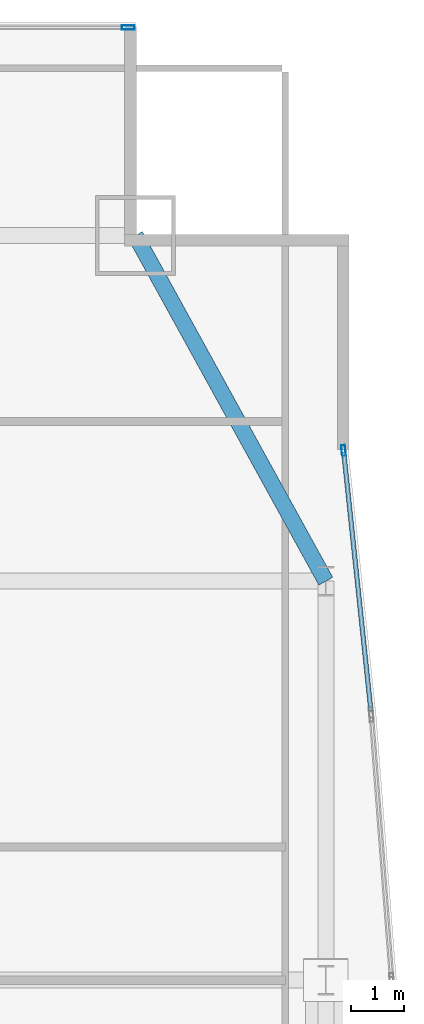
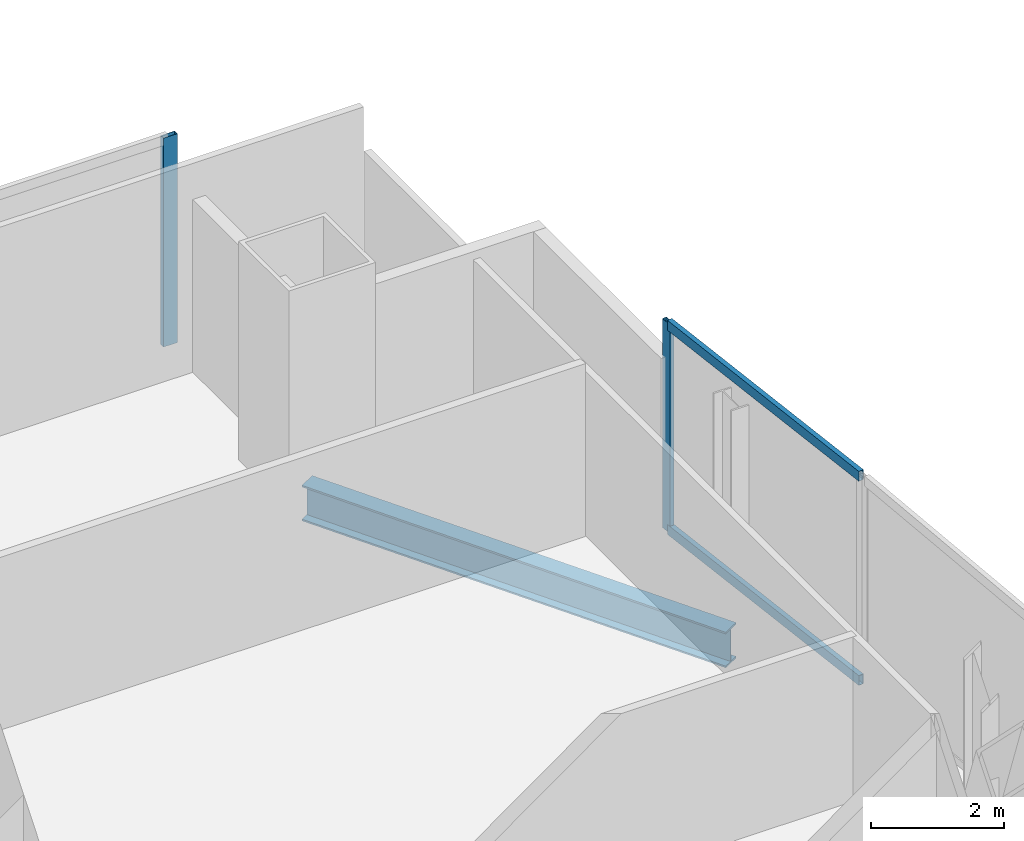
# One storey, part 25 of 32: 4 members, 1 beam, 2 elements without a shape of their own.
"""IFC4 building model written with IfcOpenShell, lengths in metres."""

import ifcopenshell
import ifcopenshell.guid

model = None  # the IFC model being written
_history = None  # IfcOwnerHistory: only IFC2X3 demands one
_inside = {}  # id of a spatial element -> (the spatial element, [elements in it])
_under = {}  # id of a project, library or spatial element -> (it, [spatial elements below it])
_declared = {}  # id of a project -> (the project, [libraries it declares])
_typed = {}  # id of a type object -> (the type object, [elements of that type])
_made_of = {}  # id of a material, layer set ... -> (it, [elements and type objects made of it])


def new_model(schema):
    """Start an empty IFC model of exactly this schema.

    Asked for "IFC4X3", IfcOpenShell would pick the latest addendum, in which some entities
    have other attributes; the version numbers below select the first issue.
    IFC2X3 requires an IfcOwnerHistory on every rooted entity: one is made here for all.
    """
    global model, _history
    if schema == "IFC4X3":
        model = ifcopenshell.file(schema_version=(4, 3, 0, 0))
    else:
        model = ifcopenshell.file(schema=schema)
    _inside.clear()
    _under.clear()
    _declared.clear()
    _typed.clear()
    _made_of.clear()
    _history = None
    if model.schema == "IFC2X3":
        org = make("IfcOrganization", Name="unknown")
        user = make(
            "IfcPersonAndOrganization",
            ThePerson=make("IfcPerson", FamilyName="unknown"),
            TheOrganization=org,
        )
        app = make(
            "IfcApplication",
            ApplicationDeveloper=org,
            Version="unknown",
            ApplicationFullName="unknown",
            ApplicationIdentifier="unknown",
        )
        _history = make(
            "IfcOwnerHistory",
            OwningUser=user,
            OwningApplication=app,
            ChangeAction="ADDED",
            CreationDate=0,
        )
    return model


def make(cls, **values):
    """One entity of the class cls with the attributes given. An attribute that is None is left unset."""
    return model.create_entity(
        cls, **{name: value for name, value in values.items() if value is not None}
    )


def rooted(cls, **values):
    """An entity with a GlobalId (a new one), such as an element, a storey or a relation."""
    return make(cls, GlobalId=ifcopenshell.guid.new(), OwnerHistory=_history, **values)


def si_unit(unit_type, name, prefix=None):
    """IfcSIUnit, for example si_unit("LENGTHUNIT", "METRE", prefix="MILLI")."""
    return make("IfcSIUnit", UnitType=unit_type, Prefix=prefix, Name=name)


def assignment(units):
    """IfcUnitAssignment: the units of a project."""
    return None if units is None else make("IfcUnitAssignment", Units=units)


def point(xyz):
    """IfcCartesianPoint."""
    return None if xyz is None else make("IfcCartesianPoint", Coordinates=xyz)


def direction(xyz):
    """IfcDirection."""
    return None if xyz is None else make("IfcDirection", DirectionRatios=xyz)


def frame(location, z_axis=None, x_axis=None):
    """IfcAxis2Placement3D, a coordinate frame: its origin and axes. An axis left out is left unset."""
    return make(
        "IfcAxis2Placement3D",
        Location=point(location),
        Axis=direction(z_axis),
        RefDirection=direction(x_axis),
    )


def frame_2d(location, x_axis=None):
    """IfcAxis2Placement2D, a coordinate frame in the plane: its origin and x axis."""
    return make(
        "IfcAxis2Placement2D", Location=point(location), RefDirection=direction(x_axis)
    )


def origin():
    """The frame at (0, 0, 0) with its axes left unset."""
    return frame((0.0, 0.0, 0.0))


def origin_2d():
    """The frame at (0, 0) in the plane with its x axis left unset."""
    return frame_2d((0.0, 0.0))


def place(relative_to, where):
    """IfcLocalPlacement: puts the frame where relative to a parent placement (None: the world)."""
    return make(
        "IfcLocalPlacement", PlacementRelTo=relative_to, RelativePlacement=where
    )


def context(
    kind, dimensions, precision=None, world=None, true_north=None, identifier=None
):
    """IfcGeometricRepresentationContext, for example the 3D "Model" context."""
    return make(
        "IfcGeometricRepresentationContext",
        ContextIdentifier=identifier,
        ContextType=kind,
        CoordinateSpaceDimension=dimensions,
        Precision=precision,
        WorldCoordinateSystem=world,
        TrueNorth=true_north,
    )


def subcontext(parent, identifier, kind, view, scale=None):
    """IfcGeometricRepresentationSubContext, for example "Body" below "Model"."""
    return make(
        "IfcGeometricRepresentationSubContext",
        ContextIdentifier=identifier,
        ContextType=kind,
        ParentContext=parent,
        TargetScale=scale,
        TargetView=view,
    )


def project(units=None, contexts=None):
    """IfcProject with its units and contexts."""
    return rooted(
        "IfcProject",
        Name="project",
        RepresentationContexts=contexts,
        UnitsInContext=assignment(units),
    )


def spatial(cls, under=None, at=None, **own):
    """A site, building, storey or space (cls), placed at a placement, below another one or the project."""
    s = rooted(cls, ObjectPlacement=at, **own)
    if under is not None:
        _under.setdefault(under.id(), (under, []))[1].append(s)
    return s


def profile(cls, at=None, kind="AREA", **sizes):
    """A parametric profile (cls). Its sizes go by their IFC names, for example OverallWidth=200.0."""
    return make(cls, ProfileType=kind, Position=at, **sizes)


def hollow_rectangle(**sizes):
    """IfcRectangleHollowProfileDef."""
    return profile("IfcRectangleHollowProfileDef", **sizes)


def i_section(**sizes):
    """IfcIShapeProfileDef."""
    return profile("IfcIShapeProfileDef", **sizes)


def extrude(swept, where, along, depth):
    """IfcExtrudedAreaSolid: the profile swept, set in the frame where, extruded along a direction by depth."""
    return make(
        "IfcExtrudedAreaSolid",
        SweptArea=swept,
        Position=where,
        ExtrudedDirection=direction(along),
        Depth=depth,
    )


def shape(context_of_items, identifier, shape_type, items):
    """IfcShapeRepresentation: the items that make up one representation, for example the "Body"."""
    return make(
        "IfcShapeRepresentation",
        ContextOfItems=context_of_items,
        RepresentationIdentifier=identifier,
        RepresentationType=shape_type,
        Items=items,
    )


def material(Name=None, Category=None):
    """IfcMaterial."""
    return make("IfcMaterial", Name=Name, Category=Category)


def material_profile(
    of_material, cross_section, Name=None, Category=None, Priority=None
):
    """IfcMaterialProfile: a cross section and its material."""
    return make(
        "IfcMaterialProfile",
        Name=Name,
        Material=of_material,
        Profile=cross_section,
        Priority=Priority,
        Category=Category,
    )


def profile_set(profiles, Name=None, composite=None):
    """IfcMaterialProfileSet."""
    return make(
        "IfcMaterialProfileSet",
        Name=Name,
        MaterialProfiles=profiles,
        CompositeProfile=composite,
    )


def made_of(thing, what):
    """Note that an element or type object is made of a material, layer set ...; save() writes the relation."""
    if what is not None:
        _made_of.setdefault(what.id(), (what, []))[1].append(thing)
    return thing


def type_object(cls, material=None, **own):
    """A type object (cls), such as IfcWallType, which elements share."""
    return made_of(rooted(cls, **own), material)


def element(
    cls,
    number,
    at=None,
    inside=None,
    cuts=None,
    type_object=None,
    material=None,
    context=None,
    identifier="Body",
    shape_type=None,
    held_by="IfcProductDefinitionShape",
    body=None,
    shapes=None,
    **own,
):
    """One element of the class cls, such as IfcWall. Its Tag is "e" and its number.

    at: its placement. inside: the storey or other place that contains it. cuts: it is an
    opening in that element (IfcRelVoidsElement). A single representation is given by context,
    identifier, shape_type and body (its items); several are given by shapes. held_by: the class
    of the entity that holds the representations. save() writes the other relations.
    """
    e = rooted(cls, Tag="e%d" % number, ObjectPlacement=at, **own)
    if body is not None:
        shapes = [shape(context, identifier, shape_type, body)]
    if shapes is not None:
        e.Representation = make(held_by, Representations=shapes)
    if inside is not None:
        _inside.setdefault(inside.id(), (inside, []))[1].append(e)
    if cuts is not None:
        rooted(
            "IfcRelVoidsElement", RelatingBuildingElement=cuts, RelatedOpeningElement=e
        )
    if type_object is not None:
        _typed.setdefault(type_object.id(), (type_object, []))[1].append(e)
    return made_of(e, material)


def aggregate(whole, parts):
    """IfcRelAggregates: a whole, such as a stair, and the parts it consists of."""
    return rooted("IfcRelAggregates", RelatingObject=whole, RelatedObjects=parts)


def save(model, path):
    """Write the relations noted so far, then the file.

    IfcRelAggregates (storeys below a building ...), IfcRelContainedInSpatialStructure (elements
    in a storey), IfcRelDefinesByType, IfcRelAssociatesMaterial and IfcRelDeclares: one each for
    every whole, place, type object, material and project.
    """
    for whole, parts in _under.values():
        aggregate(whole, parts)
    for where, things in _inside.values():
        rooted(
            "IfcRelContainedInSpatialStructure",
            RelatedElements=things,
            RelatingStructure=where,
        )
    for kind, things in _typed.values():
        rooted("IfcRelDefinesByType", RelatedObjects=things, RelatingType=kind)
    for what, things in _made_of.values():
        rooted("IfcRelAssociatesMaterial", RelatedObjects=things, RelatingMaterial=what)
    for by, libraries in _declared.values():
        rooted("IfcRelDeclares", RelatingContext=by, RelatedDefinitions=libraries)
    model.write(path)


model = new_model("IFC4")

# Units and contexts
model_context = context("Model", 3, precision=1e-05, world=origin(), true_north=direction((0.0, 1.0)))
body_context = subcontext(model_context, "Body", "Model", "MODEL_VIEW")
ifc_project = project(units=[si_unit("LENGTHUNIT", "METRE"), si_unit("AREAUNIT", "SQUARE_METRE"), si_unit("VOLUMEUNIT", "CUBIC_METRE"), si_unit("PLANEANGLEUNIT", "RADIAN"), si_unit("MASSUNIT", "GRAM", prefix="KILO")], contexts=[model_context])

# Site, building, storey
site_placement = place(None, origin())
site = spatial("IfcSite", under=ifc_project, at=site_placement, CompositionType="ELEMENT")
building_placement = place(site_placement, origin())
building = spatial("IfcBuilding", under=site, at=building_placement, Name="Khoronbel Lancet Exchange", CompositionType="ELEMENT")
storey_placement = place(building_placement, frame((0.0, 0.0, 94.60009765625)))
storey = spatial("IfcBuildingStorey", under=building, at=storey_placement, Name="L22", CompositionType="ELEMENT", Elevation=94.60009765625)

# Beam
ifc_material_1 = material(Name="Steel S355", Category="steel")
ifc_material_profile_1 = material_profile(ifc_material_1, i_section(OverallWidth=0.300048828125, OverallDepth=0.64990234375, WebThickness=0.01611328125, FlangeThickness=0.031005859375, at=origin_2d()), Name="HEB 650")
ifc_profile_set_1 = profile_set([ifc_material_profile_1], Name="Steel S355")
beam_type = type_object("IfcBeamType", Name="BM-BSP1", PredefinedType="SPANDREL", material=ifc_profile_set_1)
beam_placement = place(storey_placement, frame((69.6298828125, 43.199951171875, -0.505126953125), z_axis=(-0.482418808117, 0.875940690672, 0.0), x_axis=(-0.875940690672, -0.482418808117, 0.0)))
element("IfcBeam", 1, at=beam_placement, inside=storey, type_object=beam_type, Name="Level L22 perimeter spandrel beam SP15", PredefinedType="SPANDREL", context=body_context, shape_type="SweptSolid", body=[
    extrude(i_section(OverallWidth=0.300048828125, OverallDepth=0.64990234375, WebThickness=0.01611328125, FlangeThickness=0.031005859375, at=origin_2d()), origin(), (0.0, 0.0, 1.0), 7.420654296875),
])

# Curtain wall, member
ifc_material_2 = material(Name="Low-E Solar Control Insulating Glass", Category="glass")
curtain_wall_type_1 = type_object("IfcCurtainWallType", Name="CW-2", PredefinedType="NOTDEFINED", material=ifc_material_2)
curtain_wall_1_placement = place(storey_placement, origin())
curtain_wall_1 = element("IfcCurtainWall", 2, at=curtain_wall_1_placement, inside=storey, type_object=curtain_wall_type_1, Name="Unitised curtain wall CW-L22-NEFLK", PredefinedType="NOTDEFINED")
ifc_material_3 = material(Name="Bronze-Anodised Aluminium 6063-T6", Category="aluminium")
ifc_material_profile_2 = material_profile(ifc_material_3, hollow_rectangle(XDim=0.0849609375, YDim=0.239990234375, WallThickness=0.006103515625, at=origin_2d()), Name="ALU MULLION 85x240")
ifc_profile_set_2 = profile_set([ifc_material_profile_2], Name="Bronze-Anodised Aluminium 6063-T6")
member_type_1 = type_object("IfcMemberType", Name="MEM-CWM1", PredefinedType="MULLION", material=ifc_profile_set_2)
member_1_placement = place(storey_placement, frame((65.91748046875, 53.610107421875, 0.0), z_axis=(0.0, 0.0, 1.0), x_axis=(0.0, -1.0, 0.0)))
member_1 = element("IfcMember", 3, at=member_1_placement, type_object=member_type_1, Name="CW2 mullion 1", PredefinedType="MULLION", context=body_context, shape_type="SweptSolid", body=[
    extrude(hollow_rectangle(XDim=0.0849609375, YDim=0.239990234375, WallThickness=0.006103515625, at=origin_2d()), origin(), (0.0, 0.0, 1.0), 3.81982421875),
])
aggregate(curtain_wall_1, [member_1])

# Curtain wall, members
curtain_wall_type_2 = type_object("IfcCurtainWallType", Name="CW-4", PredefinedType="NOTDEFINED", material=ifc_material_2)
curtain_wall_2_placement = place(storey_placement, origin())
curtain_wall_2 = element("IfcCurtainWall", 4, at=curtain_wall_2_placement, inside=storey, type_object=curtain_wall_type_2, Name="Unitised curtain wall CW-L22-E17", PredefinedType="NOTDEFINED")
ifc_material_profile_3 = material_profile(ifc_material_3, hollow_rectangle(XDim=0.074951171875, YDim=0.199951171875, WallThickness=0.0048828125, at=origin_2d()), Name="ALU MULLION 75x200")
ifc_profile_set_3 = profile_set([ifc_material_profile_3], Name="Bronze-Anodised Aluminium 6063-T6")
member_type_2 = type_object("IfcMemberType", Name="MEM-CWM2", PredefinedType="MULLION", material=ifc_profile_set_3)
member_2_placement = place(storey_placement, frame((69.9638671875, 45.657958984375, 0.0), z_axis=(0.0, 0.0, 1.0), x_axis=(0.994531779003, 0.104434383958, 0.0)))
member_2 = element("IfcMember", 5, at=member_2_placement, type_object=member_type_2, Name="CW4 mullion 1", PredefinedType="MULLION", context=body_context, shape_type="SweptSolid", body=[
    extrude(hollow_rectangle(XDim=0.074951171875, YDim=0.199951171875, WallThickness=0.0048828125, at=origin_2d()), origin(), (0.0, 0.0, 1.0), 3.81982421875),
])
ifc_material_profile_4 = material_profile(ifc_material_3, hollow_rectangle(XDim=0.0849609375, YDim=0.179931640625, WallThickness=0.0048828125, at=origin_2d()), Name="ALU TRANSOM 85x180")
ifc_profile_set_4 = profile_set([ifc_material_profile_4], Name="Bronze-Anodised Aluminium 6063-T6")
member_type_3 = type_object("IfcMemberType", Name="MEM-CWT1", PredefinedType="USERDEFINED", material=ifc_profile_set_4)
member_3_placement = place(storey_placement, frame((69.9677734375, 45.62060546875, 0.04248046875), z_axis=(0.104445225696, -0.994530640468, 0.0), x_axis=(0.994530640468, 0.104445225696, 0.0)))
member_3 = element("IfcMember", 6, at=member_3_placement, type_object=member_type_3, Name="CW4 transom 1.1", ObjectType="TRANSOM", PredefinedType="USERDEFINED", context=body_context, shape_type="SweptSolid", body=[
    extrude(hollow_rectangle(XDim=0.0849609375, YDim=0.179931640625, WallThickness=0.0048828125, at=origin_2d()), origin(), (0.0, 0.0, 1.0), 4.880615234375),
])
member_4_placement = place(storey_placement, frame((69.9677734375, 45.62060546875, 3.77734375), z_axis=(0.104445225696, -0.994530640468, 0.0), x_axis=(0.994530640468, 0.104445225696, 0.0)))
member_4 = element("IfcMember", 7, at=member_4_placement, type_object=member_type_3, Name="CW4 transom 1.2", ObjectType="TRANSOM", PredefinedType="USERDEFINED", context=body_context, shape_type="SweptSolid", body=[
    extrude(hollow_rectangle(XDim=0.0849609375, YDim=0.179931640625, WallThickness=0.0048828125, at=origin_2d()), origin(), (0.0, 0.0, 1.0), 4.880615234375),
])
aggregate(curtain_wall_2, [member_2, member_3, member_4])

save(model, "model.ifc")
